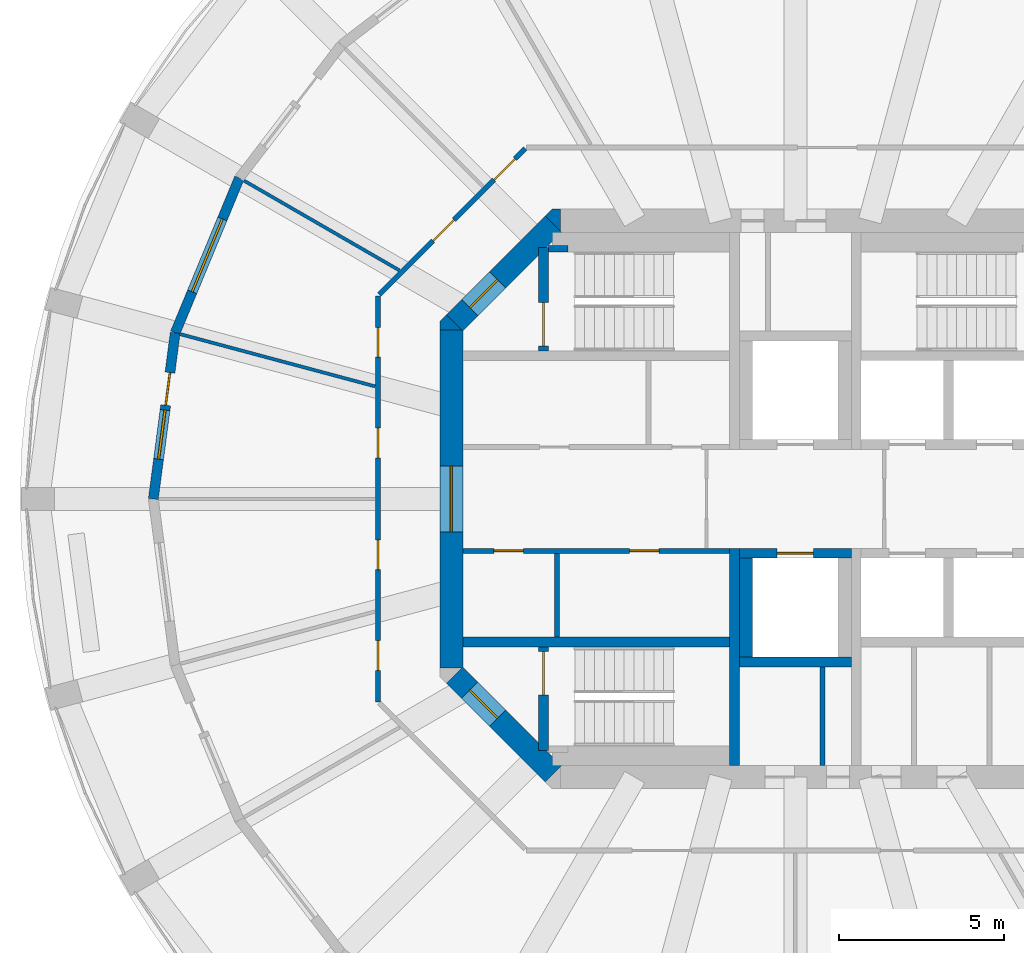
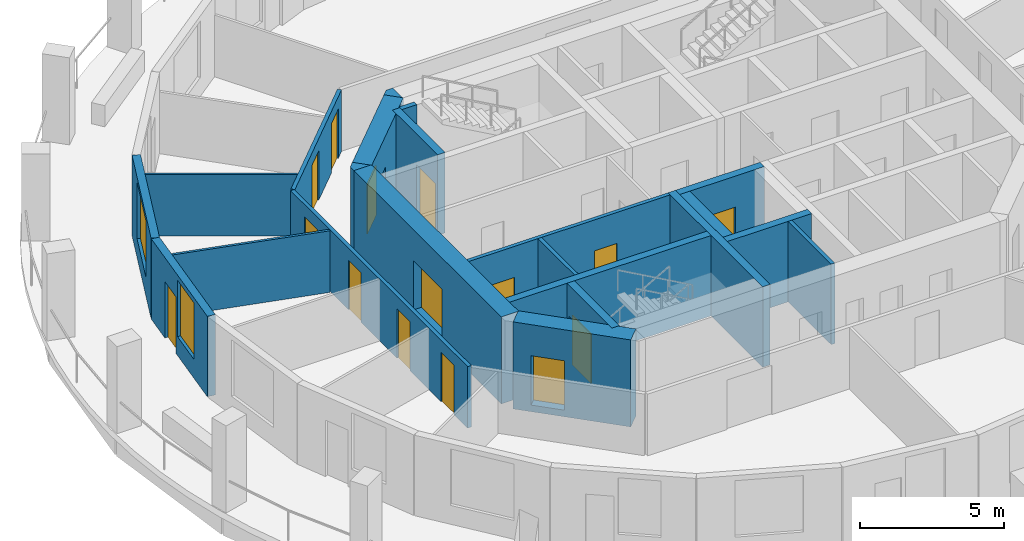
# One storey, part 3 of 8: 22 walls, 15 doors, 2 windows, 17 openings.
"""IFC4 building model written with IfcOpenShell, lengths in metres."""

from ifc_helpers import new_model, si_unit, direction, frame, frame_2d, origin, place, context, subcontext, project, spatial, polyline, rectangle, outline, extrude, material, layer, layer_set, type_object, element, fill, save


model = new_model("IFC4")

# Units and contexts
model_context = context("Model", 3, precision=1e-05, world=origin(), true_north=direction((0.0, 1.0)))
body_context = subcontext(model_context, "Body", "Model", "MODEL_VIEW")
ifc_project = project(units=[si_unit("LENGTHUNIT", "METRE"), si_unit("AREAUNIT", "SQUARE_METRE"), si_unit("VOLUMEUNIT", "CUBIC_METRE"), si_unit("PLANEANGLEUNIT", "RADIAN"), si_unit("MASSUNIT", "GRAM", prefix="KILO")], contexts=[model_context])

# Site, building, storey
site_placement = place(None, origin())
site = spatial("IfcSite", under=ifc_project, at=site_placement, CompositionType="ELEMENT")
building_placement = place(site_placement, origin())
building = spatial("IfcBuilding", under=site, at=building_placement, Name="Torre Triforio", CompositionType="ELEMENT")
storey_placement = place(building_placement, frame((0.0, 0.0, 200.199951171875)))
storey = spatial("IfcBuildingStorey", under=building, at=storey_placement, Name="L45", CompositionType="ELEMENT", Elevation=200.199951171875)

# Wall
ifc_material_1 = material(Name="Concrete C50", Category="concrete")
ifc_layer_1 = layer(ifc_material_1, 0.300048828125)
ifc_layer_set_1 = layer_set([ifc_layer_1], Name="Concrete C50")
wall_type_1 = type_object("IfcWallType", Name="Core wall 300 mm C50 EI 120", PredefinedType="SHEAR", material=ifc_layer_set_1)
wall_1_placement = place(storey_placement, frame((-1.85009765625, -8.10009765625, 0.0), z_axis=(0.0, 0.0, 1.0), x_axis=(0.0, 1.0, 0.0)))
element("IfcWall", 1, at=wall_1_placement, inside=storey, type_object=wall_type_1, Name="Core wall", PredefinedType="SHEAR", context=body_context, shape_type="SweptSolid", body=[
    extrude(rectangle(XDim=6.60009765625, YDim=0.300048828125, at=frame_2d((3.300048828125, 0.0))), origin(), (0.0, 0.0, 1.0), 3.420166015625),
])

# Wall, opening, door
ifc_layer_2 = layer(ifc_material_1, 0.699951171875)
ifc_layer_set_2 = layer_set([ifc_layer_2], Name="Concrete C50")
wall_type_2 = type_object("IfcWallType", Name="Core wall 700 mm C50 EI 120", PredefinedType="SHEAR", material=ifc_layer_set_2)
wall_2_placement = place(storey_placement, frame((-10.449951171875, -5.1298828125, -0.280029296875), z_axis=(0.0, 0.0, 1.0), x_axis=(0.0, 1.0, 0.0)))
wall_2 = element("IfcWall", 2, at=wall_2_placement, inside=storey, type_object=wall_type_2, Name="Core wall", PredefinedType="SHEAR", context=body_context, shape_type="SweptSolid", body=[
    extrude(rectangle(XDim=10.259765625, YDim=0.699951171875, at=frame_2d((5.1298828125, 0.0))), origin(), (0.0, 0.0, 1.0), 3.7001953125),
])
opening_1_placement = place(wall_2_placement, frame((4.1298828125, 0.0, 0.280029296875)))
opening_1 = element("IfcOpeningElement", 3, at=opening_1_placement, cuts=wall_2, Name="Opening W-RING", PredefinedType="OPENING", context=body_context, shape_type="SweptSolid", body=[
    extrude(rectangle(XDim=2.0, YDim=2.10009765625, at=frame_2d((1.0, 1.050048828125))), frame((0.0, 0.35986328125, 0.0), z_axis=(0.0, -1.0, 0.0), x_axis=(1.0, 0.0, 0.0)), (0.0, 0.0, 1.0), 0.719970703125),
])
ifc_material_2 = material(Name="Hollow metal fire door leaf")
door_type_1 = type_object("IfcDoorType", Name="Lobby door 2000 x 2100 EI 60", OperationType="DOUBLE_DOOR_SINGLE_SWING", PredefinedType="DOOR", material=ifc_material_2)
door_1_placement = place(opening_1_placement, origin())
door_1 = element("IfcDoor", 4, at=door_1_placement, inside=storey, type_object=door_type_1, Name="Core door W-RING", OperationType="DOUBLE_DOOR_SINGLE_SWING", OverallHeight=2.10009765625, OverallWidth=2.0, PredefinedType="DOOR", context=body_context, shape_type="SweptSolid", body=[
    extrude(rectangle(XDim=2.0, YDim=2.10009765625, at=frame_2d((1.0, 1.050048828125))), frame((0.0, 0.02490234375, 0.0), z_axis=(0.0, -1.0, 0.0), x_axis=(1.0, 0.0, 0.0)), (0.0, 0.0, 1.0), 0.050048828125),
])
fill(opening_1, door_1)

wall_3_placement = place(storey_placement, frame((-10.347412109375, 5.347412109375, -0.280029296875), z_axis=(0.0, 0.0, 1.0), x_axis=(0.707106781187, 0.707106781187, 0.0)))
wall_3 = element("IfcWall", 5, at=wall_3_placement, inside=storey, type_object=wall_type_2, Name="Core wall", PredefinedType="SHEAR", context=body_context, shape_type="SweptSolid", body=[
    extrude(rectangle(XDim=4.24267578125, YDim=0.699951171875, at=frame_2d((2.121337890625, 0.0))), origin(), (0.0, 0.0, 1.0), 3.7001953125),
])
opening_2_placement = place(wall_3_placement, frame((0.64990234375, 0.0, 0.280029296875)))
opening_2 = element("IfcOpeningElement", 6, at=opening_2_placement, cuts=wall_3, Name="Opening ST1-EXIT", PredefinedType="OPENING", context=body_context, shape_type="SweptSolid", body=[
    extrude(rectangle(XDim=1.199951171875, YDim=2.10009765625, at=frame_2d((0.60009765625, 1.050048828125))), frame((0.0, 0.35986328125, 0.0), z_axis=(0.0, -1.0, 0.0), x_axis=(1.0, 0.0, 0.0)), (0.0, 0.0, 1.0), 0.719970703125),
])
door_type_2 = type_object("IfcDoorType", Name="Stair lobby door 1200 x 2100 EI 60", OperationType="NOTDEFINED", PredefinedType="DOOR", material=ifc_material_2)
door_2_placement = place(opening_2_placement, origin())
door_2 = element("IfcDoor", 7, at=door_2_placement, inside=storey, type_object=door_type_2, Name="Core door ST1-EXIT", OperationType="SINGLE_SWING_RIGHT", OverallHeight=2.10009765625, OverallWidth=1.199951171875, PredefinedType="DOOR", context=body_context, shape_type="SweptSolid", body=[
    extrude(rectangle(XDim=1.199951171875, YDim=2.10009765625, at=frame_2d((0.60009765625, 1.050048828125))), frame((0.0, 0.02490234375, 0.0), z_axis=(0.0, -1.0, 0.0), x_axis=(1.0, 0.0, 0.0)), (0.0, 0.0, 1.0), 0.050048828125),
])
fill(opening_2, door_2)

wall_4_placement = place(storey_placement, frame((-7.347412109375, -8.347412109375, -0.280029296875), z_axis=(0.0, 0.0, 1.0), x_axis=(-0.707106781187, 0.707106781187, 0.0)))
wall_4 = element("IfcWall", 8, at=wall_4_placement, inside=storey, type_object=wall_type_2, Name="Core wall", PredefinedType="SHEAR", context=body_context, shape_type="SweptSolid", body=[
    extrude(rectangle(XDim=4.24267578125, YDim=0.699951171875, at=frame_2d((2.121337890625, 0.0))), origin(), (0.0, 0.0, 1.0), 3.7001953125),
])
opening_3_placement = place(wall_4_placement, frame((2.392578125, 0.0, 0.280029296875)))
opening_3 = element("IfcOpeningElement", 9, at=opening_3_placement, cuts=wall_4, Name="Opening ST3-EXIT", PredefinedType="OPENING", context=body_context, shape_type="SweptSolid", body=[
    extrude(rectangle(XDim=1.199951171875, YDim=2.10009765625, at=frame_2d((0.60009765625, 1.050048828125))), frame((0.0, 0.35986328125, 0.0), z_axis=(0.0, -1.0, 0.0), x_axis=(1.0, 0.0, 0.0)), (0.0, 0.0, 1.0), 0.719970703125),
])
door_3_placement = place(opening_3_placement, origin())
door_3 = element("IfcDoor", 10, at=door_3_placement, inside=storey, type_object=door_type_2, Name="Core door ST3-EXIT", OperationType="SINGLE_SWING_RIGHT", OverallHeight=2.10009765625, OverallWidth=1.199951171875, PredefinedType="DOOR", context=body_context, shape_type="SweptSolid", body=[
    extrude(rectangle(XDim=1.199951171875, YDim=2.10009765625, at=frame_2d((0.60009765625, 1.050048828125))), frame((0.0, 0.02490234375, 0.0), z_axis=(0.0, -1.0, 0.0), x_axis=(1.0, 0.0, 0.0)), (0.0, 0.0, 1.0), 0.050048828125),
])
fill(opening_3, door_3)

# Walls
wall_5_placement = place(storey_placement, frame((0.0, 0.0, -0.280029296875)))
element("IfcWall", 11, at=wall_5_placement, inside=storey, type_object=wall_type_2, Name="Core wall", PredefinedType="SHEAR", context=body_context, shape_type="SweptSolid", body=[
    extrude(outline(polyline([(-10.594970703125, 5.594970703125), (-10.594970703125, 5.594970703125), (-10.594970703125, 5.594970703125), (-10.1298828125, 5.1298828125), (-10.800048828125, 5.1298828125), (-10.800048828125, 5.1298828125), (-10.800048828125, 5.389892578125), (-10.594970703125, 5.594970703125)])), origin(), (0.0, 0.0, 1.0), 3.7001953125),
])
wall_6_placement = place(storey_placement, frame((0.0, 0.0, -0.280029296875)))
element("IfcWall", 12, at=wall_6_placement, inside=storey, type_object=wall_type_2, Name="Core wall", PredefinedType="SHEAR", context=body_context, shape_type="SweptSolid", body=[
    extrude(outline(polyline([(-7.389892578125, 8.800048828125), (-7.1298828125, 8.800048828125), (-7.1298828125, 8.800048828125), (-7.1298828125, 8.1298828125), (-7.594970703125, 8.594970703125), (-7.594970703125, 8.594970703125), (-7.594970703125, 8.594970703125), (-7.389892578125, 8.800048828125)])), origin(), (0.0, 0.0, 1.0), 3.7001953125),
])

# Wall, openings, doors
ifc_material_3 = material(Name="Plasterboard on metal studs")
ifc_layer_3 = layer(ifc_material_3, 0.14990234375)
ifc_layer_set_3 = layer_set([ifc_layer_3], Name="Plasterboard on metal studs")
wall_type_3 = type_object("IfcWallType", Name="Corridor and tenancy wall 150 mm EI 60", PredefinedType="PARTITIONING", material=ifc_layer_set_3)
wall_7_placement = place(storey_placement, frame((-12.675048828125, -6.16650390625, 0.0), z_axis=(0.0, 0.0, 1.0), x_axis=(0.0, 1.0, 0.0)))
wall_7 = element("IfcWall", 13, at=wall_7_placement, inside=storey, type_object=wall_type_3, Name="Partition 5", PredefinedType="PARTITIONING", context=body_context, shape_type="SweptSolid", body=[
    extrude(rectangle(XDim=12.3330078125, YDim=0.14990234375, at=frame_2d((6.16650390625, 0.0))), origin(), (0.0, 0.0, 1.0), 2.6201171875),
])
opening_4_placement = place(wall_7_placement, frame((10.47314453125, 0.0, 0.0)))
opening_4 = element("IfcOpeningElement", 14, at=opening_4_placement, cuts=wall_7, Name="Opening O4-04", PredefinedType="OPENING", context=body_context, shape_type="SweptSolid", body=[
    extrude(rectangle(XDim=0.89990234375, YDim=2.10009765625, at=frame_2d((0.449951171875, 1.050048828125))), frame((0.0, 0.0849609375, 0.0), z_axis=(0.0, -1.0, 0.0), x_axis=(1.0, 0.0, 0.0)), (0.0, 0.0, 1.0), 0.169921875),
])
opening_5_placement = place(wall_7_placement, frame((7.41552734375, 0.0, 0.0)))
opening_5 = element("IfcOpeningElement", 15, at=opening_5_placement, cuts=wall_7, Name="Opening O4-05", PredefinedType="OPENING", context=body_context, shape_type="SweptSolid", body=[
    extrude(rectangle(XDim=0.89990234375, YDim=2.10009765625, at=frame_2d((0.449951171875, 1.050048828125))), frame((0.0, 0.0849609375, 0.0), z_axis=(0.0, -1.0, 0.0), x_axis=(1.0, 0.0, 0.0)), (0.0, 0.0, 1.0), 0.169921875),
])
opening_6_placement = place(wall_7_placement, frame((4.017578125, 0.0, 0.0)))
opening_6 = element("IfcOpeningElement", 16, at=opening_6_placement, cuts=wall_7, Name="Opening O4-06", PredefinedType="OPENING", context=body_context, shape_type="SweptSolid", body=[
    extrude(rectangle(XDim=0.89990234375, YDim=2.10009765625, at=frame_2d((0.449951171875, 1.050048828125))), frame((0.0, 0.0849609375, 0.0), z_axis=(0.0, -1.0, 0.0), x_axis=(1.0, 0.0, 0.0)), (0.0, 0.0, 1.0), 0.169921875),
])
opening_7_placement = place(wall_7_placement, frame((0.960205078125, 0.0, 0.0)))
opening_7 = element("IfcOpeningElement", 17, at=opening_7_placement, cuts=wall_7, Name="Opening O4-07", PredefinedType="OPENING", context=body_context, shape_type="SweptSolid", body=[
    extrude(rectangle(XDim=0.89990234375, YDim=2.10009765625, at=frame_2d((0.449951171875, 1.050048828125))), frame((0.0, 0.0849609375, 0.0), z_axis=(0.0, -1.0, 0.0), x_axis=(1.0, 0.0, 0.0)), (0.0, 0.0, 1.0), 0.169921875),
])
ifc_material_4 = material(Name="Timber", Category="wood")
door_type_3 = type_object("IfcDoorType", Name="Door 900 x 2100 single leaf EI 30", OperationType="NOTDEFINED", PredefinedType="DOOR", material=ifc_material_4)
door_4_placement = place(opening_4_placement, origin())
door_4 = element("IfcDoor", 18, at=door_4_placement, inside=storey, type_object=door_type_3, Name="Door O4-04", OperationType="SINGLE_SWING_LEFT", OverallHeight=2.10009765625, OverallWidth=0.89990234375, PredefinedType="DOOR", context=body_context, shape_type="SweptSolid", body=[
    extrude(rectangle(XDim=0.89990234375, YDim=2.10009765625, at=frame_2d((0.449951171875, 1.050048828125))), frame((0.0, 0.02490234375, 0.0), z_axis=(0.0, -1.0, 0.0), x_axis=(1.0, 0.0, 0.0)), (0.0, 0.0, 1.0), 0.050048828125),
])
fill(opening_4, door_4)
door_5_placement = place(opening_5_placement, origin())
door_5 = element("IfcDoor", 19, at=door_5_placement, inside=storey, type_object=door_type_3, Name="Door O4-05", OperationType="SINGLE_SWING_LEFT", OverallHeight=2.10009765625, OverallWidth=0.89990234375, PredefinedType="DOOR", context=body_context, shape_type="SweptSolid", body=[
    extrude(rectangle(XDim=0.89990234375, YDim=2.10009765625, at=frame_2d((0.449951171875, 1.050048828125))), frame((0.0, 0.02490234375, 0.0), z_axis=(0.0, -1.0, 0.0), x_axis=(1.0, 0.0, 0.0)), (0.0, 0.0, 1.0), 0.050048828125),
])
fill(opening_5, door_5)
door_6_placement = place(opening_6_placement, origin())
door_6 = element("IfcDoor", 20, at=door_6_placement, inside=storey, type_object=door_type_3, Name="Door O4-06", OperationType="SINGLE_SWING_LEFT", OverallHeight=2.10009765625, OverallWidth=0.89990234375, PredefinedType="DOOR", context=body_context, shape_type="SweptSolid", body=[
    extrude(rectangle(XDim=0.89990234375, YDim=2.10009765625, at=frame_2d((0.449951171875, 1.050048828125))), frame((0.0, 0.02490234375, 0.0), z_axis=(0.0, -1.0, 0.0), x_axis=(1.0, 0.0, 0.0)), (0.0, 0.0, 1.0), 0.050048828125),
])
fill(opening_6, door_6)
door_7_placement = place(opening_7_placement, origin())
door_7 = element("IfcDoor", 21, at=door_7_placement, inside=storey, type_object=door_type_3, Name="Door O4-07", OperationType="SINGLE_SWING_LEFT", OverallHeight=2.10009765625, OverallWidth=0.89990234375, PredefinedType="DOOR", context=body_context, shape_type="SweptSolid", body=[
    extrude(rectangle(XDim=0.89990234375, YDim=2.10009765625, at=frame_2d((0.449951171875, 1.050048828125))), frame((0.0, 0.02490234375, 0.0), z_axis=(0.0, -1.0, 0.0), x_axis=(1.0, 0.0, 0.0)), (0.0, 0.0, 1.0), 0.050048828125),
])
fill(opening_7, door_7)

wall_8_placement = place(storey_placement, frame((-12.637939453125, 6.20361328125, 0.0), z_axis=(0.0, 0.0, 1.0), x_axis=(0.707106781187, 0.707106781187, 0.0)))
wall_8 = element("IfcWall", 22, at=wall_8_placement, inside=storey, type_object=wall_type_3, Name="Partition 6", PredefinedType="PARTITIONING", context=body_context, shape_type="SweptSolid", body=[
    extrude(rectangle(XDim=6.27099609375, YDim=0.14990234375, at=frame_2d((3.135498046875, 0.0))), origin(), (0.0, 0.0, 1.0), 2.6201171875),
])
opening_8_placement = place(wall_8_placement, frame((4.935302734375, 0.0, 0.0)))
opening_8 = element("IfcOpeningElement", 23, at=opening_8_placement, cuts=wall_8, Name="Opening O4-02", PredefinedType="OPENING", context=body_context, shape_type="SweptSolid", body=[
    extrude(rectangle(XDim=0.89990234375, YDim=2.10009765625, at=frame_2d((0.449951171875, 1.050048828125))), frame((0.0, 0.0849609375, 0.0), z_axis=(0.0, -1.0, 0.0), x_axis=(1.0, 0.0, 0.0)), (0.0, 0.0, 1.0), 0.169921875),
])
opening_9_placement = place(wall_8_placement, frame((2.313720703125, 0.0, 0.0)))
opening_9 = element("IfcOpeningElement", 24, at=opening_9_placement, cuts=wall_8, Name="Opening O4-03", PredefinedType="OPENING", context=body_context, shape_type="SweptSolid", body=[
    extrude(rectangle(XDim=0.89990234375, YDim=2.10009765625, at=frame_2d((0.449951171875, 1.050048828125))), frame((0.0, 0.0849609375, 0.0), z_axis=(0.0, -1.0, 0.0), x_axis=(1.0, 0.0, 0.0)), (0.0, 0.0, 1.0), 0.169921875),
])
door_8_placement = place(opening_8_placement, origin())
door_8 = element("IfcDoor", 25, at=door_8_placement, inside=storey, type_object=door_type_3, Name="Door O4-02", OperationType="SINGLE_SWING_LEFT", OverallHeight=2.10009765625, OverallWidth=0.89990234375, PredefinedType="DOOR", context=body_context, shape_type="SweptSolid", body=[
    extrude(rectangle(XDim=0.89990234375, YDim=2.10009765625, at=frame_2d((0.449951171875, 1.050048828125))), frame((0.0, 0.02490234375, 0.0), z_axis=(0.0, -1.0, 0.0), x_axis=(1.0, 0.0, 0.0)), (0.0, 0.0, 1.0), 0.050048828125),
])
fill(opening_8, door_8)
door_9_placement = place(opening_9_placement, origin())
door_9 = element("IfcDoor", 26, at=door_9_placement, inside=storey, type_object=door_type_3, Name="Door O4-03", OperationType="SINGLE_SWING_LEFT", OverallHeight=2.10009765625, OverallWidth=0.89990234375, PredefinedType="DOOR", context=body_context, shape_type="SweptSolid", body=[
    extrude(rectangle(XDim=0.89990234375, YDim=2.10009765625, at=frame_2d((0.449951171875, 1.050048828125))), frame((0.0, 0.02490234375, 0.0), z_axis=(0.0, -1.0, 0.0), x_axis=(1.0, 0.0, 0.0)), (0.0, 0.0, 1.0), 0.050048828125),
])
fill(opening_9, door_9)

# Walls
ifc_layer_4 = layer(ifc_material_3, 0.10009765625)
ifc_layer_set_4 = layer_set([ifc_layer_4], Name="Plasterboard on metal studs")
wall_type_4 = type_object("IfcWallType", Name="Partition 100 mm board on metal studs", PredefinedType="PARTITIONING", material=ifc_layer_set_4)
wall_9_placement = place(storey_placement, frame((-12.025146484375, 6.94287109375, 0.0), z_axis=(0.0, 0.0, 1.0), x_axis=(-0.866029712004, 0.499992537871, 0.0)))
element("IfcWall", 27, at=wall_9_placement, inside=storey, type_object=wall_type_4, Name="Partition 16", PredefinedType="PARTITIONING", context=body_context, shape_type="SweptSolid", body=[
    extrude(rectangle(XDim=5.451171875, YDim=0.10009765625, at=frame_2d((2.7255859375, 0.0))), origin(), (0.0, 0.0, 1.0), 2.6201171875),
])
wall_10_placement = place(storey_placement, frame((-12.764404296875, 3.420166015625, 0.0), z_axis=(0.0, 0.0, 1.0), x_axis=(-0.965925800266, 0.258819142221, 0.0)))
element("IfcWall", 28, at=wall_10_placement, inside=storey, type_object=wall_type_4, Name="Partition 17", PredefinedType="PARTITIONING", context=body_context, shape_type="SweptSolid", body=[
    extrude(rectangle(XDim=6.121826171875, YDim=0.10009765625, at=frame_2d((3.06103515625, 0.0))), origin(), (0.0, 0.0, 1.0), 2.6201171875),
])
ifc_material_5 = material(Name="Block and board partition")
ifc_layer_5 = layer(ifc_material_5, 0.14990234375)
ifc_layer_set_5 = layer_set([ifc_layer_5], Name="Block and board partition")
wall_type_5 = type_object("IfcWallType", Name="Partition 150 mm", PredefinedType="PARTITIONING", material=ifc_layer_set_5)
wall_11_placement = place(storey_placement, frame((-7.242431640625, -4.199951171875, 0.0), z_axis=(0.0, 0.0, 1.0), x_axis=(0.0, 1.0, 0.0)))
element("IfcWall", 29, at=wall_11_placement, inside=storey, type_object=wall_type_5, Name="Partition", PredefinedType="PARTITIONING", context=body_context, shape_type="SweptSolid", body=[
    extrude(rectangle(XDim=2.550048828125, YDim=0.14990234375, at=frame_2d((1.27490234375, 0.0))), origin(), (0.0, 0.0, 1.0), 3.420166015625),
])
ifc_layer_6 = layer(ifc_material_5, 0.14990234375)
ifc_layer_set_6 = layer_set([ifc_layer_6], Name="Block and board partition")
wall_type_6 = type_object("IfcWallType", Name="Partition 150 mm EI 120", PredefinedType="PARTITIONING", material=ifc_layer_set_6)
wall_12_placement = place(storey_placement, frame((0.824951171875, -8.10009765625, 0.0), z_axis=(0.0, 0.0, 1.0), x_axis=(0.0, 1.0, 0.0)))
element("IfcWall", 30, at=wall_12_placement, inside=storey, type_object=wall_type_6, Name="Partition", PredefinedType="PARTITIONING", context=body_context, shape_type="SweptSolid", body=[
    extrude(rectangle(XDim=3.0, YDim=0.14990234375, at=frame_2d((1.5, 0.0))), origin(), (0.0, 0.0, 1.0), 3.420166015625),
])

# Wall, openings, doors
wall_13_placement = place(storey_placement, frame((-10.10009765625, -1.574951171875, 0.0), z_axis=(0.0, 0.0, 1.0), x_axis=(1.0, 0.0, 0.0)))
wall_13 = element("IfcWall", 31, at=wall_13_placement, inside=storey, type_object=wall_type_6, Name="Partition", PredefinedType="PARTITIONING", context=body_context, shape_type="SweptSolid", body=[
    extrude(rectangle(XDim=8.10009765625, YDim=0.14990234375, at=frame_2d((4.050048828125, 0.0))), origin(), (0.0, 0.0, 1.0), 3.420166015625),
])
opening_10_placement = place(wall_13_placement, frame((0.941162109375, 0.0, 0.0)))
opening_10 = element("IfcOpeningElement", 32, at=opening_10_placement, cuts=wall_13, Name="Opening FS-01", PredefinedType="OPENING", context=body_context, shape_type="SweptSolid", body=[
    extrude(rectangle(XDim=0.89990234375, YDim=2.10009765625, at=frame_2d((0.449951171875, 1.050048828125))), frame((0.0, 0.0849609375, 0.0), z_axis=(0.0, -1.0, 0.0), x_axis=(1.0, 0.0, 0.0)), (0.0, 0.0, 1.0), 0.169921875),
])
opening_11_placement = place(wall_13_placement, frame((5.066162109375, 0.0, 0.0)))
opening_11 = element("IfcOpeningElement", 33, at=opening_11_placement, cuts=wall_13, Name="Opening FS-02", PredefinedType="OPENING", context=body_context, shape_type="SweptSolid", body=[
    extrude(rectangle(XDim=0.89990234375, YDim=2.10009765625, at=frame_2d((0.449951171875, 1.050048828125))), frame((0.0, 0.0849609375, 0.0), z_axis=(0.0, -1.0, 0.0), x_axis=(1.0, 0.0, 0.0)), (0.0, 0.0, 1.0), 0.169921875),
])
door_type_4 = type_object("IfcDoorType", Name="Room door 900 x 2100 EI 60", OperationType="NOTDEFINED", PredefinedType="DOOR", material=ifc_material_2)
door_10_placement = place(opening_10_placement, origin())
door_10 = element("IfcDoor", 34, at=door_10_placement, inside=storey, type_object=door_type_4, Name="Core door FS-01", OperationType="SINGLE_SWING_LEFT", OverallHeight=2.10009765625, OverallWidth=0.89990234375, PredefinedType="DOOR", context=body_context, shape_type="SweptSolid", body=[
    extrude(rectangle(XDim=0.89990234375, YDim=2.10009765625, at=frame_2d((0.449951171875, 1.050048828125))), frame((0.0, 0.02490234375, 0.0), z_axis=(0.0, -1.0, 0.0), x_axis=(1.0, 0.0, 0.0)), (0.0, 0.0, 1.0), 0.050048828125),
])
fill(opening_10, door_10)
door_11_placement = place(opening_11_placement, origin())
door_11 = element("IfcDoor", 35, at=door_11_placement, inside=storey, type_object=door_type_4, Name="Core door FS-02", OperationType="SINGLE_SWING_LEFT", OverallHeight=2.10009765625, OverallWidth=0.89990234375, PredefinedType="DOOR", context=body_context, shape_type="SweptSolid", body=[
    extrude(rectangle(XDim=0.89990234375, YDim=2.10009765625, at=frame_2d((0.449951171875, 1.050048828125))), frame((0.0, 0.02490234375, 0.0), z_axis=(0.0, -1.0, 0.0), x_axis=(1.0, 0.0, 0.0)), (0.0, 0.0, 1.0), 0.050048828125),
])
fill(opening_11, door_11)

# Wall
ifc_layer_7 = layer(ifc_material_1, 0.300048828125)
ifc_layer_set_7 = layer_set([ifc_layer_7], Name="Concrete C50")
wall_type_7 = type_object("IfcWallType", Name="Shaft wall 300 mm C50 EI 120", PredefinedType="SOLIDWALL", material=ifc_layer_set_7)
wall_14_placement = place(storey_placement, frame((-10.10009765625, -4.35009765625, 0.0), z_axis=(0.0, 0.0, 1.0), x_axis=(1.0, 0.0, 0.0)))
element("IfcWall", 36, at=wall_14_placement, inside=storey, type_object=wall_type_7, Name="Shaft wall", PredefinedType="SOLIDWALL", context=body_context, shape_type="SweptSolid", body=[
    extrude(rectangle(XDim=8.10009765625, YDim=0.300048828125, at=frame_2d((4.050048828125, 0.0))), origin(), (0.0, 0.0, 1.0), 3.420166015625),
])

# Wall, opening, door
wall_15_placement = place(storey_placement, frame((-1.699951171875, -1.64990234375, 0.0), z_axis=(0.0, 0.0, 1.0), x_axis=(1.0, 0.0, 0.0)))
wall_15 = element("IfcWall", 37, at=wall_15_placement, inside=storey, type_object=wall_type_7, Name="Shaft wall", PredefinedType="SOLIDWALL", context=body_context, shape_type="SweptSolid", body=[
    extrude(rectangle(XDim=3.39990234375, YDim=0.300048828125, at=frame_2d((1.699951171875, 0.0))), origin(), (0.0, 0.0, 1.0), 3.420166015625),
])
opening_12_placement = place(wall_15_placement, frame((1.14990234375, 0.0, 0.0)))
opening_12 = element("IfcOpeningElement", 38, at=opening_12_placement, cuts=wall_15, Name="Opening LD", PredefinedType="OPENING", context=body_context, shape_type="SweptSolid", body=[
    extrude(rectangle(XDim=1.10009765625, YDim=2.10009765625, at=frame_2d((0.550048828125, 1.050048828125))), frame((0.0, 0.159912109375, 0.0), z_axis=(0.0, -1.0, 0.0), x_axis=(1.0, 0.0, 0.0)), (0.0, 0.0, 1.0), 0.320068359375),
])
door_type_5 = type_object("IfcDoorType", Name="Landing door 1100 x 2100 EI 60", OperationType="DOUBLE_DOOR_SLIDING", PredefinedType="DOOR", material=ifc_material_2)
door_12_placement = place(opening_12_placement, origin())
door_12 = element("IfcDoor", 39, at=door_12_placement, inside=storey, type_object=door_type_5, Name="Landing door FFL2", OperationType="DOUBLE_DOOR_SLIDING", OverallHeight=2.10009765625, OverallWidth=1.10009765625, PredefinedType="DOOR", context=body_context, shape_type="SweptSolid", body=[
    extrude(rectangle(XDim=1.10009765625, YDim=2.10009765625, at=frame_2d((0.550048828125, 1.050048828125))), frame((0.0, 0.02490234375, 0.0), z_axis=(0.0, -1.0, 0.0), x_axis=(1.0, 0.0, 0.0)), (0.0, 0.0, 1.0), 0.050048828125),
])
fill(opening_12, door_12)

# Walls
wall_16_placement = place(storey_placement, frame((-1.699951171875, -4.949951171875, 0.0), z_axis=(0.0, 0.0, 1.0), x_axis=(1.0, 0.0, 0.0)))
element("IfcWall", 40, at=wall_16_placement, inside=storey, type_object=wall_type_7, Name="Shaft wall", PredefinedType="SOLIDWALL", context=body_context, shape_type="SweptSolid", body=[
    extrude(rectangle(XDim=3.39990234375, YDim=0.300048828125, at=frame_2d((1.699951171875, 0.0))), origin(), (0.0, 0.0, 1.0), 3.420166015625),
])
ifc_layer_8 = layer(ifc_material_1, 0.39990234375)
ifc_layer_set_8 = layer_set([ifc_layer_8], Name="Concrete C50")
wall_type_8 = type_object("IfcWallType", Name="Shaft wall 400 mm C50 EI 120", PredefinedType="SOLIDWALL", material=ifc_layer_set_8)
wall_17_placement = place(storey_placement, frame((-1.5, -4.800048828125, 0.0), z_axis=(0.0, 0.0, 1.0), x_axis=(0.0, 1.0, 0.0)))
element("IfcWall", 41, at=wall_17_placement, inside=storey, type_object=wall_type_8, Name="Shaft wall", PredefinedType="SOLIDWALL", context=body_context, shape_type="SweptSolid", body=[
    extrude(rectangle(XDim=3.0, YDim=0.39990234375, at=frame_2d((1.5, 0.0))), origin(), (0.0, 0.0, 1.0), 3.420166015625),
])
ifc_layer_9 = layer(ifc_material_1, 0.199951171875)
ifc_layer_set_9 = layer_set([ifc_layer_9], Name="Concrete C50")
wall_type_9 = type_object("IfcWallType", Name="Stair wall 200 mm C50 EI 120", PredefinedType="SHEAR", material=ifc_layer_set_9)
wall_18_placement = place(storey_placement, frame((-7.5, 7.60009765625, 0.0), z_axis=(0.0, 0.0, 1.0), x_axis=(1.0, 0.0, 0.0)))
element("IfcWall", 42, at=wall_18_placement, inside=storey, type_object=wall_type_9, Name="Stair wall", PredefinedType="SHEAR", context=body_context, shape_type="SweptSolid", body=[
    extrude(rectangle(XDim=0.60009765625, YDim=0.199951171875, at=frame_2d((0.300048828125, 0.0))), origin(), (0.0, 0.0, 1.0), 3.420166015625),
])

# Wall, opening, door
ifc_layer_10 = layer(ifc_material_1, 0.300048828125)
ifc_layer_set_10 = layer_set([ifc_layer_10], Name="Concrete C50")
wall_type_10 = type_object("IfcWallType", Name="Stair wall 300 mm C50 EI 120", PredefinedType="SHEAR", material=ifc_layer_set_10)
wall_19_placement = place(storey_placement, frame((-7.64990234375, 4.5, 0.0), z_axis=(0.0, 0.0, 1.0), x_axis=(0.0, 1.0, 0.0)))
wall_19 = element("IfcWall", 43, at=wall_19_placement, inside=storey, type_object=wall_type_10, Name="Stair wall", PredefinedType="SHEAR", context=body_context, shape_type="SweptSolid", body=[
    extrude(rectangle(XDim=3.139892578125, YDim=0.300048828125, at=frame_2d((1.56982421875, 0.0))), origin(), (0.0, 0.0, 1.0), 3.420166015625),
])
opening_13_placement = place(wall_19_placement, frame((0.139892578125, 0.0, 0.0)))
opening_13 = element("IfcOpeningElement", 44, at=opening_13_placement, cuts=wall_19, Name="Opening ST1-STA", PredefinedType="OPENING", context=body_context, shape_type="SweptSolid", body=[
    extrude(rectangle(XDim=1.320068359375, YDim=2.10009765625, at=frame_2d((0.66015625, 1.050048828125))), frame((0.0, 0.159912109375, 0.0), z_axis=(0.0, -1.0, 0.0), x_axis=(1.0, 0.0, 0.0)), (0.0, 0.0, 1.0), 0.320068359375),
])
door_type_6 = type_object("IfcDoorType", Name="Stair door 1320 x 2100 EI 90", OperationType="DOUBLE_DOOR_SINGLE_SWING", PredefinedType="DOOR", material=ifc_material_2)
door_13_placement = place(opening_13_placement, origin())
door_13 = element("IfcDoor", 45, at=door_13_placement, inside=storey, type_object=door_type_6, Name="Core door ST1-ST", OperationType="DOUBLE_DOOR_SINGLE_SWING", OverallHeight=2.10009765625, OverallWidth=1.320068359375, PredefinedType="DOOR", context=body_context, shape_type="SweptSolid", body=[
    extrude(rectangle(XDim=1.320068359375, YDim=2.10009765625, at=frame_2d((0.66015625, 1.050048828125))), frame((0.0, 0.02490234375, 0.0), z_axis=(0.0, -1.0, 0.0), x_axis=(1.0, 0.0, 0.0)), (0.0, 0.0, 1.0), 0.050048828125),
])
fill(opening_13, door_13)

wall_20_placement = place(storey_placement, frame((-7.64990234375, -7.639892578125, 0.0), z_axis=(0.0, 0.0, 1.0), x_axis=(0.0, 1.0, 0.0)))
wall_20 = element("IfcWall", 46, at=wall_20_placement, inside=storey, type_object=wall_type_10, Name="Stair wall", PredefinedType="SHEAR", context=body_context, shape_type="SweptSolid", body=[
    extrude(rectangle(XDim=3.139892578125, YDim=0.300048828125, at=frame_2d((1.56982421875, 0.0))), origin(), (0.0, 0.0, 1.0), 3.420166015625),
])
opening_14_placement = place(wall_20_placement, frame((1.679931640625, 0.0, 0.0)))
opening_14 = element("IfcOpeningElement", 47, at=opening_14_placement, cuts=wall_20, Name="Opening ST3-STA", PredefinedType="OPENING", context=body_context, shape_type="SweptSolid", body=[
    extrude(rectangle(XDim=1.320068359375, YDim=2.10009765625, at=frame_2d((0.66015625, 1.050048828125))), frame((0.0, 0.159912109375, 0.0), z_axis=(0.0, -1.0, 0.0), x_axis=(1.0, 0.0, 0.0)), (0.0, 0.0, 1.0), 0.320068359375),
])
door_14_placement = place(opening_14_placement, origin())
door_14 = element("IfcDoor", 48, at=door_14_placement, inside=storey, type_object=door_type_6, Name="Core door ST3-ST", OperationType="DOUBLE_DOOR_SINGLE_SWING", OverallHeight=2.10009765625, OverallWidth=1.320068359375, PredefinedType="DOOR", context=body_context, shape_type="SweptSolid", body=[
    extrude(rectangle(XDim=1.320068359375, YDim=2.10009765625, at=frame_2d((0.66015625, 1.050048828125))), frame((0.0, 0.02490234375, 0.0), z_axis=(0.0, -1.0, 0.0), x_axis=(1.0, 0.0, 0.0)), (0.0, 0.0, 1.0), 0.050048828125),
])
fill(opening_14, door_14)

# Wall, opening, window
ifc_material_6 = material(Name="Limestone cladding", Category="masonry")
ifc_layer_11 = layer(ifc_material_6, 0.10009765625)
ifc_material_7 = material(Name="Concrete C40", Category="concrete")
ifc_layer_12 = layer(ifc_material_7, 0.199951171875)
ifc_layer_set_11 = layer_set([ifc_layer_11, ifc_layer_12], Name="Limestone cladding / Concrete C40")
wall_type_11 = type_object("IfcWallType", Name="Stone-faced composite wall 300", PredefinedType="STANDARD", material=ifc_layer_set_11)
wall_21_placement = place(storey_placement, frame((-16.887451171875, 9.75, 0.0), z_axis=(0.0, 0.0, 1.0), x_axis=(-0.382724538613, -0.923862504675, 0.0)))
wall_21 = element("IfcWall", 49, at=wall_21_placement, inside=storey, type_object=wall_type_11, Name="External wall L45 bay 11", PredefinedType="STANDARD", context=body_context, shape_type="SweptSolid", body=[
    extrude(rectangle(XDim=5.090576171875, YDim=0.300048828125, at=frame_2d((2.54541015625, 0.0))), origin(), (0.0, 0.0, 1.0), 3.420166015625),
])
opening_15_placement = place(wall_21_placement, frame((1.34521484375, 0.0, 0.800048828125)))
opening_15 = element("IfcOpeningElement", 50, at=opening_15_placement, cuts=wall_21, Name="Opening O4-W11", PredefinedType="OPENING", context=body_context, shape_type="SweptSolid", body=[
    extrude(rectangle(XDim=2.39990234375, YDim=2.39990234375, at=frame_2d((1.199951171875, 1.199951171875))), frame((0.0, 0.159912109375, 0.0), z_axis=(0.0, -1.0, 0.0), x_axis=(1.0, 0.0, 0.0)), (0.0, 0.0, 1.0), 0.320068359375),
])
ifc_material_8 = material(Name="Aluminium frame with clear double glazing", Category="aluminium")
window_type_1 = type_object("IfcWindowType", Name="Punched window 2400 x 2400", PartitioningType="DOUBLE_PANEL_VERTICAL", PredefinedType="WINDOW", material=ifc_material_8)
window_1_placement = place(opening_15_placement, origin())
window_1 = element("IfcWindow", 51, at=window_1_placement, inside=storey, type_object=window_type_1, Name="Window EWN4 L45 bay 11", OverallHeight=2.39990234375, OverallWidth=2.39990234375, PartitioningType="SINGLE_PANEL", PredefinedType="WINDOW", context=body_context, shape_type="SweptSolid", body=[
    extrude(rectangle(XDim=2.39990234375, YDim=2.39990234375, at=frame_2d((1.199951171875, 1.199951171875))), frame((0.0, 0.030029296875, 0.0), z_axis=(0.0, -1.0, 0.0), x_axis=(1.0, 0.0, 0.0)), (0.0, 0.0, 1.0), 0.06005859375),
])
fill(opening_15, window_1)

# Wall, openings, door, window
wall_22_placement = place(storey_placement, frame((-18.835693359375, 5.047119140625, 0.0), z_axis=(0.0, 0.0, 1.0), x_axis=(-0.130495451964, -0.99144890792, 0.0)))
wall_22 = element("IfcWall", 52, at=wall_22_placement, inside=storey, type_object=wall_type_11, Name="External wall L45 bay 12", PredefinedType="STANDARD", context=body_context, shape_type="SweptSolid", body=[
    extrude(rectangle(XDim=5.090576171875, YDim=0.300048828125, at=frame_2d((2.54541015625, 0.0))), origin(), (0.0, 0.0, 1.0), 3.420166015625),
])
opening_16_placement = place(wall_22_placement, frame((1.22021484375, 0.0, 0.0)))
opening_16 = element("IfcOpeningElement", 53, at=opening_16_placement, cuts=wall_22, Name="Opening O4-D12", PredefinedType="OPENING", context=body_context, shape_type="SweptSolid", body=[
    extrude(rectangle(XDim=1.0, YDim=2.39990234375, at=frame_2d((0.5, 1.199951171875))), frame((0.0, 0.159912109375, 0.0), z_axis=(0.0, -1.0, 0.0), x_axis=(1.0, 0.0, 0.0)), (0.0, 0.0, 1.0), 0.320068359375),
])
opening_17_placement = place(wall_22_placement, frame((2.370361328125, 0.0, 0.800048828125)))
opening_17 = element("IfcOpeningElement", 54, at=opening_17_placement, cuts=wall_22, Name="Opening O4-W12A", PredefinedType="OPENING", context=body_context, shape_type="SweptSolid", body=[
    extrude(rectangle(XDim=1.5, YDim=2.39990234375, at=frame_2d((0.75, 1.199951171875))), frame((0.0, 0.159912109375, 0.0), z_axis=(0.0, -1.0, 0.0), x_axis=(1.0, 0.0, 0.0)), (0.0, 0.0, 1.0), 0.320068359375),
])
door_type_7 = type_object("IfcDoorType", Name="Loggia door 1000 x 2400", OperationType="NOTDEFINED", PredefinedType="DOOR", material=ifc_material_8)
door_15_placement = place(opening_16_placement, origin())
door_15 = element("IfcDoor", 55, at=door_15_placement, inside=storey, type_object=door_type_7, Name="Loggia door L45 bay 12", OperationType="SINGLE_SWING_LEFT", OverallHeight=2.39990234375, OverallWidth=1.0, PredefinedType="DOOR", context=body_context, shape_type="SweptSolid", body=[
    extrude(rectangle(XDim=1.0, YDim=2.39990234375, at=frame_2d((0.5, 1.199951171875))), frame((0.0, 0.02490234375, 0.0), z_axis=(0.0, -1.0, 0.0), x_axis=(1.0, 0.0, 0.0)), (0.0, 0.0, 1.0), 0.050048828125),
])
fill(opening_16, door_15)
window_type_2 = type_object("IfcWindowType", Name="Side window 1500 x 2400", PartitioningType="SINGLE_PANEL", PredefinedType="WINDOW", material=ifc_material_8)
window_2_placement = place(opening_17_placement, origin())
window_2 = element("IfcWindow", 56, at=window_2_placement, inside=storey, type_object=window_type_2, Name="Side window EWN14 L45 bay 12", OverallHeight=2.39990234375, OverallWidth=1.5, PartitioningType="SINGLE_PANEL", PredefinedType="WINDOW", context=body_context, shape_type="SweptSolid", body=[
    extrude(rectangle(XDim=1.5, YDim=2.39990234375, at=frame_2d((0.75, 1.199951171875))), frame((0.0, 0.030029296875, 0.0), z_axis=(0.0, -1.0, 0.0), x_axis=(1.0, 0.0, 0.0)), (0.0, 0.0, 1.0), 0.06005859375),
])
fill(opening_17, window_2)

save(model, "model.ifc")
